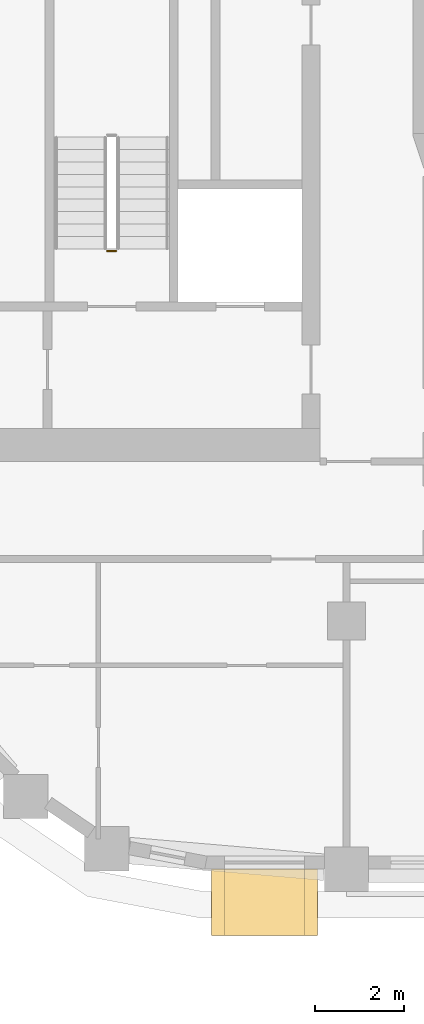
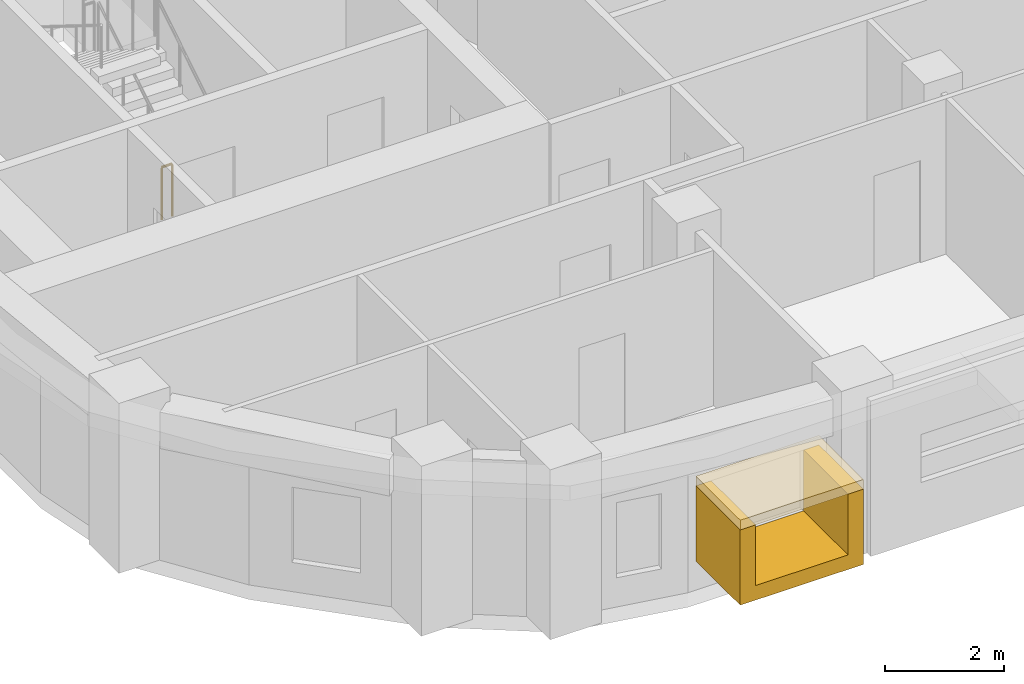
# One storey, part 11 of 22: 2 coverings, 1 railing.
"""IFC4 building model written with IfcOpenShell, lengths in metres."""

from ifc_helpers import new_model, si_unit, direction, frame, origin, origin_2d, place, context, subcontext, project, spatial, polyline, rectangle, circle, outline, extrude, material, layer, layer_set, type_object, element, save


model = new_model("IFC4")

# Units and contexts
model_context = context("Model", 3, precision=1e-05, world=origin(), true_north=direction((0.0, 1.0)))
body_context = subcontext(model_context, "Body", "Model", "MODEL_VIEW")
ifc_project = project(units=[si_unit("LENGTHUNIT", "METRE"), si_unit("AREAUNIT", "SQUARE_METRE"), si_unit("VOLUMEUNIT", "CUBIC_METRE"), si_unit("PLANEANGLEUNIT", "RADIAN"), si_unit("MASSUNIT", "GRAM", prefix="KILO")], contexts=[model_context])

# Site, building, storey
site_placement = place(None, origin())
site = spatial("IfcSite", under=ifc_project, at=site_placement, CompositionType="ELEMENT")
building_placement = place(site_placement, origin())
building = spatial("IfcBuilding", under=site, at=building_placement, Name="Kiln Ring Residences", CompositionType="ELEMENT")
storey_placement = place(building_placement, frame((0.0, 0.0, 171.10009765625)))
storey = spatial("IfcBuildingStorey", under=building, at=storey_placement, Name="L44", CompositionType="ELEMENT", Elevation=171.10009765625)

# Railing
ifc_material_1 = material(Name="Stainless steel", Category="steel")
railing_type = type_object("IfcRailingType", Name="CORE-STAIR-GUARD", PredefinedType="GUARDRAIL", material=ifc_material_1)
railing_placement = place(storey_placement, frame((-22.0, -8.449951171875, 0.0)))
element("IfcRailing", 1, at=railing_placement, inside=storey, type_object=railing_type, Name="L44 W-STS stair guard 4", PredefinedType="GUARDRAIL", context=body_context, shape_type="SweptSolid", body=[
    extrude(circle(Radius=0.02392578125, at=origin_2d()), frame((0.0, 0.0, 1.076171875), z_axis=(-1.0, 0.0, 0.0), x_axis=(0.0, -1.0, 0.0)), (0.0, 0.0, 1.0), 0.199951171875),
    extrude(circle(Radius=0.02099609375, at=origin_2d()), origin(), (0.0, 0.0, 1.0), 1.052001953125),
    extrude(circle(Radius=0.02099609375, at=origin_2d()), frame((-0.199951171875, 0.0, 0.0)), (0.0, 0.0, 1.0), 1.052001953125),
])

# Coverings
ifc_material_2 = material(Name="Brick masonry, dark clay brick", Category="masonry")
ifc_layer_1 = layer(ifc_material_2, 0.300048828125)
ifc_layer_set_1 = layer_set([ifc_layer_1], Name="FRAME CHEEKS AND SILL 1500")
covering_type_1 = type_object("IfcCoveringType", Name="FRAME CHEEKS AND SILL 1500", PredefinedType="CLADDING", material=ifc_layer_set_1)
covering_1_placement = place(storey_placement, frame((-19.85009765625, -23.14990234375, 0.599853515625), z_axis=(0.0, 0.0, 1.0), x_axis=(1.0, 0.0, 0.0)))
element("IfcCovering", 2, at=covering_1_placement, inside=storey, type_object=covering_type_1, Name="FRAME L44", PredefinedType="CLADDING", context=body_context, shape_type="SweptSolid", body=[
    extrude(outline(polyline([(0.0, 0.0), (2.400146484375, 0.0), (2.39990234375, 1.550048828125), (2.10107421875, 1.550048828125), (2.10009765625, 0.300048828125), (0.300048828125, 0.300048828125), (0.299072265625, 1.550048828125), (0.0, 1.550048828125), (0.0, 0.0)])), frame((0.0, 0.75, 0.0), z_axis=(0.0, -1.0, 0.0), x_axis=(1.0, 0.0, 0.0)), (0.0, 0.0, 1.0), 1.5),
])
ifc_material_3 = material(Name="Brick masonry, dark clay brick", Category="masonry")
ifc_layer_2 = layer(ifc_material_3, 0.199951171875)
ifc_layer_set_2 = layer_set([ifc_layer_2], Name="FRAME HEAD 1500")
covering_type_2 = type_object("IfcCoveringType", Name="FRAME HEAD 1500", PredefinedType="CLADDING", material=ifc_layer_set_2)
covering_2_placement = place(storey_placement, frame((-18.64990234375, -23.14990234375, 2.14990234375), z_axis=(0.0, 0.0, 1.0), x_axis=(1.0, 0.0, 0.0)))
element("IfcCovering", 3, at=covering_2_placement, inside=storey, type_object=covering_type_2, Name="FRAME HEAD L44", PredefinedType="CLADDING", context=body_context, shape_type="SweptSolid", body=[
    extrude(rectangle(XDim=2.39990234375, YDim=1.5, at=origin_2d()), origin(), (0.0, 0.0, 1.0), 0.199951171875),
])

save(model, "model.ifc")
